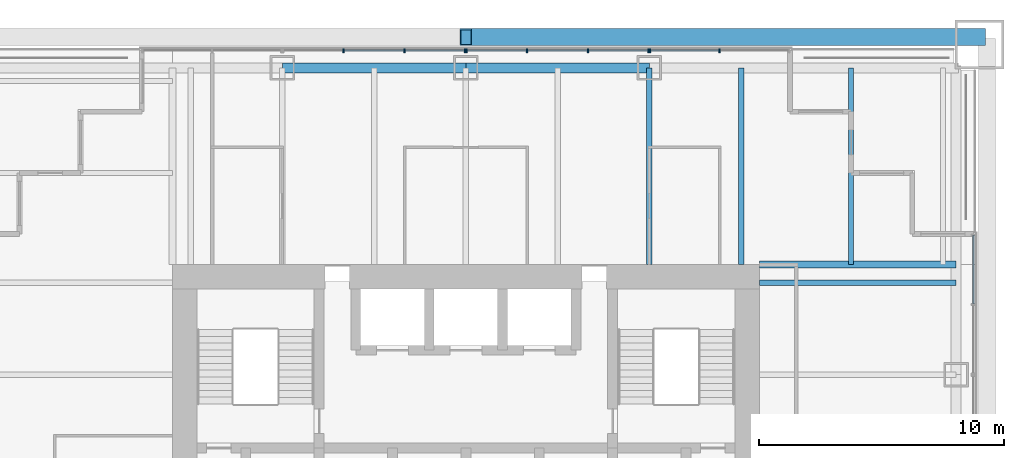
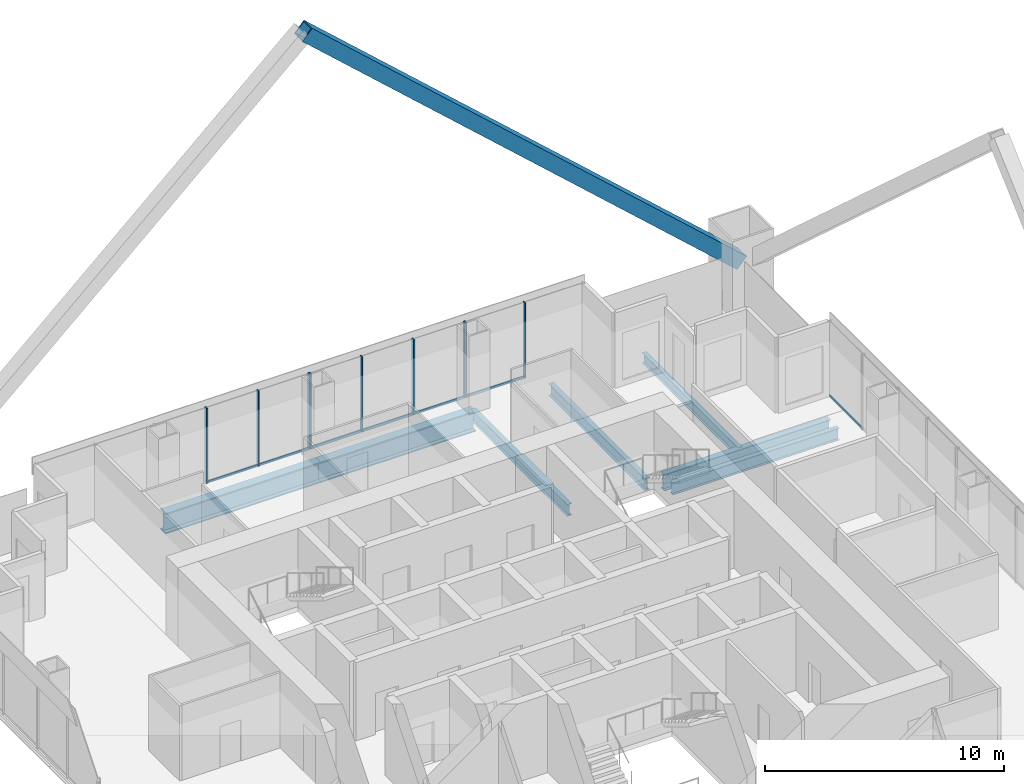
# One storey, part 10 of 18: 17 members, 7 beams, 4 elements without a shape of their own.
"""IFC4 building model written with IfcOpenShell, lengths in metres."""

from ifc_helpers import new_model, si_unit, direction, frame, origin, origin_2d, place, context, subcontext, project, spatial, rectangle, hollow_rectangle, i_section, extrude, material, material_profile, profile_set, type_object, element, aggregate, save


model = new_model("IFC4")

# Units and contexts
model_context = context("Model", 3, precision=1e-05, world=origin(), true_north=direction((0.0, 1.0)))
body_context = subcontext(model_context, "Body", "Model", "MODEL_VIEW")
ifc_project = project(units=[si_unit("LENGTHUNIT", "METRE"), si_unit("AREAUNIT", "SQUARE_METRE"), si_unit("VOLUMEUNIT", "CUBIC_METRE"), si_unit("PLANEANGLEUNIT", "RADIAN"), si_unit("MASSUNIT", "GRAM", prefix="KILO")], contexts=[model_context])

# Site, building, storey
site_placement = place(None, origin())
site = spatial("IfcSite", under=ifc_project, at=site_placement, CompositionType="ELEMENT")
building_placement = place(site_placement, origin())
building = spatial("IfcBuilding", under=site, at=building_placement, Name="Tarangal Relay Tower", CompositionType="ELEMENT")
storey_placement = place(building_placement, frame((0.0, 0.0, 295.89990234375)))
storey = spatial("IfcBuildingStorey", under=building, at=storey_placement, Name="L65", CompositionType="ELEMENT", Elevation=295.89990234375)

# Beams
ifc_material_1 = material(Name="Steel ASTM A992", Category="steel")
ifc_material_profile_1 = material_profile(ifc_material_1, i_section(OverallWidth=0.209228515625, OverallDepth=0.533447265625, WebThickness=0.01025390625, FlangeThickness=0.015625, at=origin_2d()), Name="W21X62")
ifc_profile_set_1 = profile_set([ifc_material_profile_1], Name="Steel ASTM A992")
beam_type_1 = type_object("IfcBeamType", Name="Corner beam W21X62", PredefinedType="JOIST", material=ifc_profile_set_1)
beam_1_placement = place(storey_placement, frame((15.75, 12.0, -0.41650390625), z_axis=(0.0, 1.0, 0.0), x_axis=(-1.0, 0.0, 0.0)))
element("IfcBeam", 1, at=beam_1_placement, inside=storey, type_object=beam_type_1, Name="Corner beam CB12 N L65", PredefinedType="JOIST", context=body_context, shape_type="SweptSolid", body=[
    extrude(i_section(OverallWidth=0.209228515625, OverallDepth=0.533447265625, WebThickness=0.01025390625, FlangeThickness=0.015625, at=origin_2d()), origin(), (0.0, 0.0, 1.0), 8.0400390625),
])
ifc_material_profile_2 = material_profile(ifc_material_1, i_section(OverallWidth=0.2919921875, OverallDepth=0.8408203125, WebThickness=0.0146484375, FlangeThickness=0.021728515625, at=origin_2d()), Name="W33X130")
ifc_profile_set_2 = profile_set([ifc_material_profile_2], Name="Steel ASTM A992")
beam_type_2 = type_object("IfcBeamType", Name="Corner girder W33X130", PredefinedType="BEAM", material=ifc_profile_set_2)
beam_2_placement = place(storey_placement, frame((12.0, 12.0, -0.5703125), z_axis=(1.0, 0.0, 0.0), x_axis=(0.0, 1.0, 0.0)))
element("IfcBeam", 2, at=beam_2_placement, inside=storey, type_object=beam_type_2, Name="Corner girder CG5 N L65", PredefinedType="BEAM", context=body_context, shape_type="SweptSolid", body=[
    extrude(i_section(OverallWidth=0.2919921875, OverallDepth=0.8408203125, WebThickness=0.0146484375, FlangeThickness=0.021728515625, at=origin_2d()), origin(), (0.0, 0.0, 1.0), 8.0400390625),
])
ifc_material_profile_3 = material_profile(ifc_material_1, i_section(OverallWidth=0.41162109375, OverallDepth=1.049072265625, WebThickness=0.033935546875, FlangeThickness=0.059814453125, at=origin_2d()), Name="W40X431")
ifc_profile_set_3 = profile_set([ifc_material_profile_3], Name="Steel ASTM A992")
beam_type_3 = type_object("IfcBeamType", Name="Edge girder W40X431", PredefinedType="SPANDREL", material=ifc_profile_set_3)
for number, where, z_axis, x_axis, name in (
    (3, (-7.5, 20.0400390625, -0.67431640625), (1.0, 0.0, 0.0), (0.0, 1.0, 0.0), "Edge girder EG1 N L65"),
    (4, (0.0, 20.0400390625, -0.67431640625), (1.0, 0.0, 0.0), (0.0, 1.0, 0.0), "Edge girder EG1 N L65"),
):
    element("IfcBeam", number, at=place(storey_placement, frame(where, z_axis=z_axis, x_axis=x_axis)), inside=storey, type_object=beam_type_3, Name=name, PredefinedType="SPANDREL", context=body_context, shape_type="SweptSolid", body=[
        extrude(i_section(OverallWidth=0.41162109375, OverallDepth=1.049072265625, WebThickness=0.033935546875, FlangeThickness=0.059814453125, at=origin_2d()), origin(), (0.0, 0.0, 1.0), 7.5),
    ])
ifc_material_profile_4 = material_profile(ifc_material_1, i_section(OverallWidth=0.228271484375, OverallDepth=0.607177734375, WebThickness=0.01123046875, FlangeThickness=0.017333984375, at=origin_2d()), Name="W24X76")
ifc_profile_set_4 = profile_set([ifc_material_profile_4], Name="Steel ASTM A992")
beam_type_4 = type_object("IfcBeamType", Name="Floor beam W24X76", PredefinedType="BEAM", material=ifc_profile_set_4)
for number, where, z_axis, x_axis, name in (
    (5, (7.5, 12.0, -0.453369140625), (0.0, 1.0, 0.0), (-1.0, 0.0, 0.0), "Floor beam RB5 N L65"),
    (6, (11.25, 12.0, -0.453369140625), (0.0, 1.0, 0.0), (-1.0, 0.0, 0.0), "Floor beam RB5 N L65"),
    (7, (12.0, 11.25, -0.453369140625), (1.0, 0.0, 0.0), (0.0, 1.0, 0.0), "Floor beam RB5 E L65"),
):
    element("IfcBeam", number, at=place(storey_placement, frame(where, z_axis=z_axis, x_axis=x_axis)), inside=storey, type_object=beam_type_4, Name=name, PredefinedType="BEAM", context=body_context, shape_type="SweptSolid", body=[
        extrude(i_section(OverallWidth=0.228271484375, OverallDepth=0.607177734375, WebThickness=0.01123046875, FlangeThickness=0.017333984375, at=origin_2d()), origin(), (0.0, 0.0, 1.0), 8.0400390625),
    ])

# Member
ifc_material_2 = material(Name="Steel ASTM A572 Grade 50", Category="steel")
ifc_material_profile_5 = material_profile(ifc_material_2, hollow_rectangle(XDim=0.699951171875, YDim=0.699951171875, WallThickness=0.052001953125, at=origin_2d()), Name="BOX700X700X52")
ifc_profile_set_5 = profile_set([ifc_material_profile_5], Name="Steel ASTM A572 Grade 50")
member_type_1 = type_object("IfcMemberType", Name="Mega brace BOX700X700X52", PredefinedType="BRACE", material=ifc_profile_set_5)
member_1_placement = place(storey_placement, frame((21.0, 21.300048828125, 2.0), z_axis=(-0.741535779124, 0.0, 0.670913323969), x_axis=(0.0, -1.0, 0.0)))
element("IfcMember", 8, at=member_1_placement, inside=storey, type_object=member_type_1, Name="Mega brace MB4 N face module 2", PredefinedType="BRACE", context=body_context, shape_type="SweptSolid", body=[
    extrude(hollow_rectangle(XDim=0.699951171875, YDim=0.699951171875, WallThickness=0.052001953125, at=origin_2d()), origin(), (0.0, 0.0, 1.0), 28.319580078125),
])

# Curtain wall, members
ifc_material_3 = material(Name="Unitised curtain wall, dark glass and black aluminium", Category="aluminium")
curtain_wall_type = type_object("IfcCurtainWallType", Name="Curtain wall CW-B", PredefinedType="USERDEFINED", material=ifc_material_3)
curtain_wall_1_placement = place(storey_placement, origin())
curtain_wall_1 = element("IfcCurtainWall", 9, at=curtain_wall_1_placement, inside=storey, type_object=curtain_wall_type, Name="Curtain wall CW-B N facade L65", ObjectType="UNITISED CURTAIN WALL", PredefinedType="USERDEFINED")
ifc_material_4 = material(Name="Black anodised aluminium mullion", Category="aluminium")
ifc_material_profile_6 = material_profile(ifc_material_4, rectangle(XDim=0.159912109375, YDim=0.06005859375, at=origin_2d()), Name="CW-BM 60X160")
ifc_profile_set_6 = profile_set([ifc_material_profile_6], Name="Black anodised aluminium mullion")
member_type_2 = type_object("IfcMemberType", Name="Mullion CW-B 60 x 160", PredefinedType="MULLION", material=ifc_profile_set_6)
member_2_placement = place(storey_placement, frame((-5.0, 20.75, 0.0), z_axis=(0.0, 0.0, 1.0), x_axis=(0.0, 1.0, 0.0)))
member_2 = element("IfcMember", 10, at=member_2_placement, type_object=member_type_2, Name="CW-B mullion 2", PredefinedType="MULLION", context=body_context, shape_type="SweptSolid", body=[
    extrude(rectangle(XDim=0.159912109375, YDim=0.06005859375, at=origin_2d()), origin(), (0.0, 0.0, 1.0), 3.85009765625),
])
member_3_placement = place(storey_placement, frame((-2.5, 20.75, 0.0), z_axis=(0.0, 0.0, 1.0), x_axis=(0.0, 1.0, 0.0)))
member_3 = element("IfcMember", 11, at=member_3_placement, type_object=member_type_2, Name="CW-B mullion 3", PredefinedType="MULLION", context=body_context, shape_type="SweptSolid", body=[
    extrude(rectangle(XDim=0.159912109375, YDim=0.06005859375, at=origin_2d()), origin(), (0.0, 0.0, 1.0), 3.85009765625),
])
member_4_placement = place(storey_placement, frame((-0.030029296875, 20.75, 0.0), z_axis=(0.0, 0.0, 1.0), x_axis=(0.0, 1.0, 0.0)))
member_4 = element("IfcMember", 12, at=member_4_placement, type_object=member_type_2, Name="CW-B mullion 4", PredefinedType="MULLION", context=body_context, shape_type="SweptSolid", body=[
    extrude(rectangle(XDim=0.159912109375, YDim=0.06005859375, at=origin_2d()), origin(), (0.0, 0.0, 1.0), 3.85009765625),
])

curtain_wall_2_placement = place(storey_placement, origin())
curtain_wall_2 = element("IfcCurtainWall", 13, at=curtain_wall_2_placement, inside=storey, type_object=curtain_wall_type, Name="Curtain wall CW-B N facade L65", ObjectType="UNITISED CURTAIN WALL", PredefinedType="USERDEFINED")
member_5_placement = place(storey_placement, frame((0.030029296875, 20.75, 0.0), z_axis=(0.0, 0.0, 1.0), x_axis=(0.0, 1.0, 0.0)))
member_5 = element("IfcMember", 14, at=member_5_placement, type_object=member_type_2, Name="CW-B mullion 1", PredefinedType="MULLION", context=body_context, shape_type="SweptSolid", body=[
    extrude(rectangle(XDim=0.159912109375, YDim=0.06005859375, at=origin_2d()), origin(), (0.0, 0.0, 1.0), 3.85009765625),
])
member_6_placement = place(storey_placement, frame((2.5, 20.75, 0.0), z_axis=(0.0, 0.0, 1.0), x_axis=(0.0, 1.0, 0.0)))
member_6 = element("IfcMember", 15, at=member_6_placement, type_object=member_type_2, Name="CW-B mullion 2", PredefinedType="MULLION", context=body_context, shape_type="SweptSolid", body=[
    extrude(rectangle(XDim=0.159912109375, YDim=0.06005859375, at=origin_2d()), origin(), (0.0, 0.0, 1.0), 3.85009765625),
])
member_7_placement = place(storey_placement, frame((5.0, 20.75, 0.0), z_axis=(0.0, 0.0, 1.0), x_axis=(0.0, 1.0, 0.0)))
member_7 = element("IfcMember", 16, at=member_7_placement, type_object=member_type_2, Name="CW-B mullion 3", PredefinedType="MULLION", context=body_context, shape_type="SweptSolid", body=[
    extrude(rectangle(XDim=0.159912109375, YDim=0.06005859375, at=origin_2d()), origin(), (0.0, 0.0, 1.0), 3.85009765625),
])
member_8_placement = place(storey_placement, frame((7.469970703125, 20.75, 0.0), z_axis=(0.0, 0.0, 1.0), x_axis=(0.0, 1.0, 0.0)))
member_8 = element("IfcMember", 17, at=member_8_placement, type_object=member_type_2, Name="CW-B mullion 4", PredefinedType="MULLION", context=body_context, shape_type="SweptSolid", body=[
    extrude(rectangle(XDim=0.159912109375, YDim=0.06005859375, at=origin_2d()), origin(), (0.0, 0.0, 1.0), 3.85009765625),
])

curtain_wall_3_placement = place(storey_placement, origin())
curtain_wall_3 = element("IfcCurtainWall", 18, at=curtain_wall_3_placement, inside=storey, type_object=curtain_wall_type, Name="Curtain wall CW-B N facade L65", ObjectType="UNITISED CURTAIN WALL", PredefinedType="USERDEFINED")
member_9_placement = place(storey_placement, frame((7.530029296875, 20.75, 0.0), z_axis=(0.0, 0.0, 1.0), x_axis=(0.0, 1.0, 0.0)))
member_9 = element("IfcMember", 19, at=member_9_placement, type_object=member_type_2, Name="CW-B mullion 1", PredefinedType="MULLION", context=body_context, shape_type="SweptSolid", body=[
    extrude(rectangle(XDim=0.159912109375, YDim=0.06005859375, at=origin_2d()), origin(), (0.0, 0.0, 1.0), 3.85009765625),
])
member_10_placement = place(storey_placement, frame((10.375, 20.75, 0.0), z_axis=(0.0, 0.0, 1.0), x_axis=(0.0, 1.0, 0.0)))
member_10 = element("IfcMember", 20, at=member_10_placement, type_object=member_type_2, Name="CW-B mullion 2", PredefinedType="MULLION", context=body_context, shape_type="SweptSolid", body=[
    extrude(rectangle(XDim=0.159912109375, YDim=0.06005859375, at=origin_2d()), origin(), (0.0, 0.0, 1.0), 3.85009765625),
])

# Member
ifc_material_5 = material(Name="Black anodised aluminium transom", Category="aluminium")
ifc_material_profile_7 = material_profile(ifc_material_5, rectangle(XDim=0.06005859375, YDim=0.1298828125, at=origin_2d()), Name="CW-BT 60X130")
ifc_profile_set_7 = profile_set([ifc_material_profile_7], Name="Black anodised aluminium transom")
member_type_3 = type_object("IfcMemberType", Name="Transom CW-B 60 x 130", PredefinedType="USERDEFINED", material=ifc_profile_set_7)
member_11_placement = place(storey_placement, frame((-4.969970703125, 20.75, 0.030029296875), z_axis=(1.0, 0.0, 0.0), x_axis=(0.0, 1.0, 0.0)))
member_11 = element("IfcMember", 21, at=member_11_placement, type_object=member_type_3, Name="CW-B transom 2.1", ObjectType="TRANSOM", PredefinedType="USERDEFINED", context=body_context, shape_type="SweptSolid", body=[
    extrude(rectangle(XDim=0.06005859375, YDim=0.1298828125, at=origin_2d()), origin(), (0.0, 0.0, 1.0), 2.43994140625),
])

member_12_placement = place(storey_placement, frame((-2.469970703125, 20.75, 0.030029296875), z_axis=(1.0, 0.0, 0.0), x_axis=(0.0, 1.0, 0.0)))
member_12 = element("IfcMember", 22, at=member_12_placement, type_object=member_type_3, Name="CW-B transom 3.1", ObjectType="TRANSOM", PredefinedType="USERDEFINED", context=body_context, shape_type="SweptSolid", body=[
    extrude(rectangle(XDim=0.06005859375, YDim=0.1298828125, at=origin_2d()), origin(), (0.0, 0.0, 1.0), 2.409912109375),
])

aggregate(curtain_wall_1, [member_2, member_3, member_4, member_11, member_12])

member_13_placement = place(storey_placement, frame((0.06005859375, 20.75, 0.030029296875), z_axis=(1.0, 0.0, 0.0), x_axis=(0.0, 1.0, 0.0)))
member_13 = element("IfcMember", 23, at=member_13_placement, type_object=member_type_3, Name="CW-B transom 1.1", ObjectType="TRANSOM", PredefinedType="USERDEFINED", context=body_context, shape_type="SweptSolid", body=[
    extrude(rectangle(XDim=0.06005859375, YDim=0.1298828125, at=origin_2d()), origin(), (0.0, 0.0, 1.0), 2.409912109375),
])

member_14_placement = place(storey_placement, frame((2.530029296875, 20.75, 0.030029296875), z_axis=(1.0, 0.0, 0.0), x_axis=(0.0, 1.0, 0.0)))
member_14 = element("IfcMember", 24, at=member_14_placement, type_object=member_type_3, Name="CW-B transom 2.1", ObjectType="TRANSOM", PredefinedType="USERDEFINED", context=body_context, shape_type="SweptSolid", body=[
    extrude(rectangle(XDim=0.06005859375, YDim=0.1298828125, at=origin_2d()), origin(), (0.0, 0.0, 1.0), 2.43994140625),
])

member_15_placement = place(storey_placement, frame((5.030029296875, 20.75, 0.030029296875), z_axis=(1.0, 0.0, 0.0), x_axis=(0.0, 1.0, 0.0)))
member_15 = element("IfcMember", 25, at=member_15_placement, type_object=member_type_3, Name="CW-B transom 3.1", ObjectType="TRANSOM", PredefinedType="USERDEFINED", context=body_context, shape_type="SweptSolid", body=[
    extrude(rectangle(XDim=0.06005859375, YDim=0.1298828125, at=origin_2d()), origin(), (0.0, 0.0, 1.0), 2.409912109375),
])

aggregate(curtain_wall_2, [member_5, member_6, member_7, member_8, member_13, member_14, member_15])

member_16_placement = place(storey_placement, frame((7.56005859375, 20.75, 0.030029296875), z_axis=(1.0, 0.0, 0.0), x_axis=(0.0, 1.0, 0.0)))
member_16 = element("IfcMember", 26, at=member_16_placement, type_object=member_type_3, Name="CW-B transom 1.1", ObjectType="TRANSOM", PredefinedType="USERDEFINED", context=body_context, shape_type="SweptSolid", body=[
    extrude(rectangle(XDim=0.06005859375, YDim=0.1298828125, at=origin_2d()), origin(), (0.0, 0.0, 1.0), 2.784912109375),
])

aggregate(curtain_wall_3, [member_9, member_10, member_16])

# Curtain wall, member
curtain_wall_4_placement = place(storey_placement, origin())
curtain_wall_4 = element("IfcCurtainWall", 27, at=curtain_wall_4_placement, inside=storey, type_object=curtain_wall_type, Name="Curtain wall CW-B E facade L65", ObjectType="UNITISED CURTAIN WALL", PredefinedType="USERDEFINED")
member_17_placement = place(storey_placement, frame((20.75, 13.18994140625, 0.030029296875), z_axis=(0.0, -1.0, 0.0), x_axis=(1.0, 0.0, 0.0)))
member_17 = element("IfcMember", 28, at=member_17_placement, type_object=member_type_3, Name="CW-B transom 1.1", ObjectType="TRANSOM", PredefinedType="USERDEFINED", context=body_context, shape_type="SweptSolid", body=[
    extrude(rectangle(XDim=0.06005859375, YDim=0.1298828125, at=origin_2d()), origin(), (0.0, 0.0, 1.0), 2.784912109375),
])
aggregate(curtain_wall_4, [member_17])

save(model, "model.ifc")
